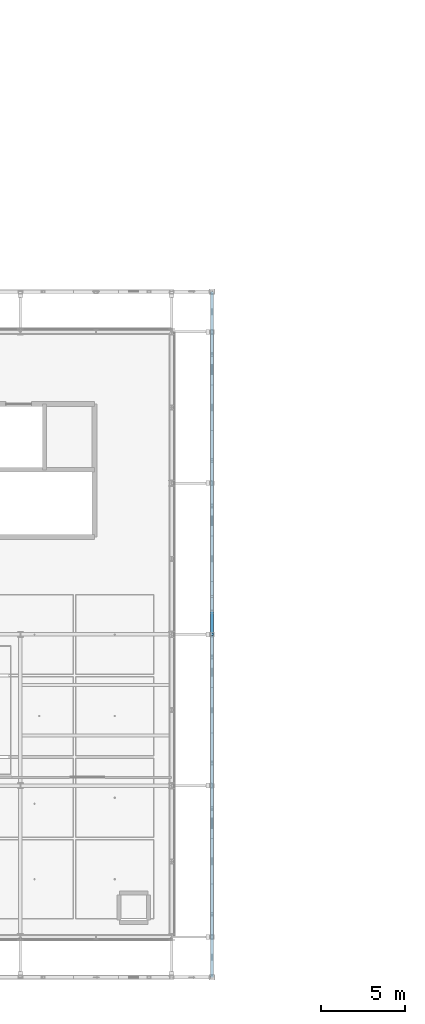
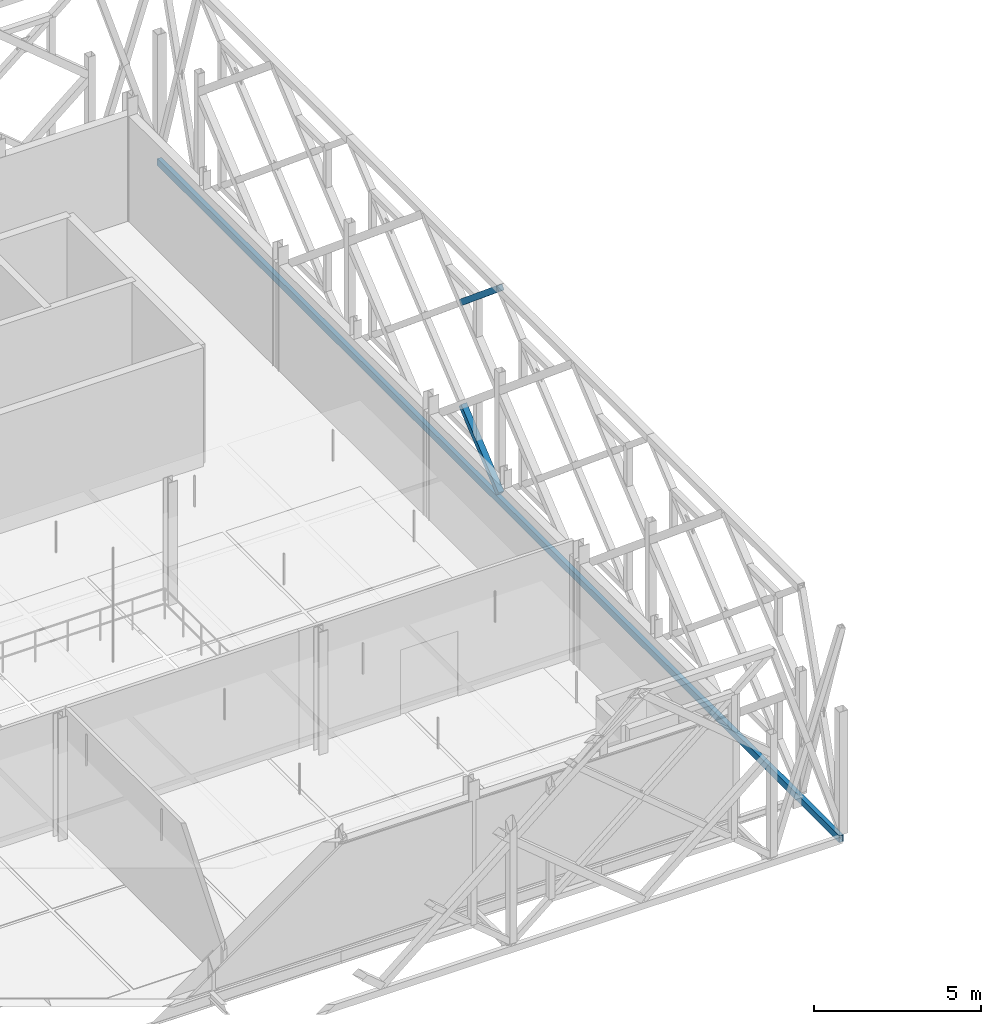
# One storey, part 22 of 66: 2 members, 1 beam.
"""IFC4 building model written with IfcOpenShell, lengths in metres."""

import ifcopenshell
import ifcopenshell.guid

model = None  # the IFC model being written
_history = None  # IfcOwnerHistory: only IFC2X3 demands one
_inside = {}  # id of a spatial element -> (the spatial element, [elements in it])
_under = {}  # id of a project, library or spatial element -> (it, [spatial elements below it])
_declared = {}  # id of a project -> (the project, [libraries it declares])
_typed = {}  # id of a type object -> (the type object, [elements of that type])
_made_of = {}  # id of a material, layer set ... -> (it, [elements and type objects made of it])


def new_model(schema):
    """Start an empty IFC model of exactly this schema.

    Asked for "IFC4X3", IfcOpenShell would pick the latest addendum, in which some entities
    have other attributes; the version numbers below select the first issue.
    IFC2X3 requires an IfcOwnerHistory on every rooted entity: one is made here for all.
    """
    global model, _history
    if schema == "IFC4X3":
        model = ifcopenshell.file(schema_version=(4, 3, 0, 0))
    else:
        model = ifcopenshell.file(schema=schema)
    _inside.clear()
    _under.clear()
    _declared.clear()
    _typed.clear()
    _made_of.clear()
    _history = None
    if model.schema == "IFC2X3":
        org = make("IfcOrganization", Name="unknown")
        user = make(
            "IfcPersonAndOrganization",
            ThePerson=make("IfcPerson", FamilyName="unknown"),
            TheOrganization=org,
        )
        app = make(
            "IfcApplication",
            ApplicationDeveloper=org,
            Version="unknown",
            ApplicationFullName="unknown",
            ApplicationIdentifier="unknown",
        )
        _history = make(
            "IfcOwnerHistory",
            OwningUser=user,
            OwningApplication=app,
            ChangeAction="ADDED",
            CreationDate=0,
        )
    return model


def make(cls, **values):
    """One entity of the class cls with the attributes given. An attribute that is None is left unset."""
    return model.create_entity(
        cls, **{name: value for name, value in values.items() if value is not None}
    )


def rooted(cls, **values):
    """An entity with a GlobalId (a new one), such as an element, a storey or a relation."""
    return make(cls, GlobalId=ifcopenshell.guid.new(), OwnerHistory=_history, **values)


def si_unit(unit_type, name, prefix=None):
    """IfcSIUnit, for example si_unit("LENGTHUNIT", "METRE", prefix="MILLI")."""
    return make("IfcSIUnit", UnitType=unit_type, Prefix=prefix, Name=name)


def assignment(units):
    """IfcUnitAssignment: the units of a project."""
    return None if units is None else make("IfcUnitAssignment", Units=units)


def point(xyz):
    """IfcCartesianPoint."""
    return None if xyz is None else make("IfcCartesianPoint", Coordinates=xyz)


def direction(xyz):
    """IfcDirection."""
    return None if xyz is None else make("IfcDirection", DirectionRatios=xyz)


def frame(location, z_axis=None, x_axis=None):
    """IfcAxis2Placement3D, a coordinate frame: its origin and axes. An axis left out is left unset."""
    return make(
        "IfcAxis2Placement3D",
        Location=point(location),
        Axis=direction(z_axis),
        RefDirection=direction(x_axis),
    )


def frame_2d(location, x_axis=None):
    """IfcAxis2Placement2D, a coordinate frame in the plane: its origin and x axis."""
    return make(
        "IfcAxis2Placement2D", Location=point(location), RefDirection=direction(x_axis)
    )


def origin():
    """The frame at (0, 0, 0) with its axes left unset."""
    return frame((0.0, 0.0, 0.0))


def origin_2d():
    """The frame at (0, 0) in the plane with its x axis left unset."""
    return frame_2d((0.0, 0.0))


def place(relative_to, where):
    """IfcLocalPlacement: puts the frame where relative to a parent placement (None: the world)."""
    return make(
        "IfcLocalPlacement", PlacementRelTo=relative_to, RelativePlacement=where
    )


def context(
    kind, dimensions, precision=None, world=None, true_north=None, identifier=None
):
    """IfcGeometricRepresentationContext, for example the 3D "Model" context."""
    return make(
        "IfcGeometricRepresentationContext",
        ContextIdentifier=identifier,
        ContextType=kind,
        CoordinateSpaceDimension=dimensions,
        Precision=precision,
        WorldCoordinateSystem=world,
        TrueNorth=true_north,
    )


def subcontext(parent, identifier, kind, view, scale=None):
    """IfcGeometricRepresentationSubContext, for example "Body" below "Model"."""
    return make(
        "IfcGeometricRepresentationSubContext",
        ContextIdentifier=identifier,
        ContextType=kind,
        ParentContext=parent,
        TargetScale=scale,
        TargetView=view,
    )


def project(units=None, contexts=None):
    """IfcProject with its units and contexts."""
    return rooted(
        "IfcProject",
        Name="project",
        RepresentationContexts=contexts,
        UnitsInContext=assignment(units),
    )


def spatial(cls, under=None, at=None, **own):
    """A site, building, storey or space (cls), placed at a placement, below another one or the project."""
    s = rooted(cls, ObjectPlacement=at, **own)
    if under is not None:
        _under.setdefault(under.id(), (under, []))[1].append(s)
    return s


def profile(cls, at=None, kind="AREA", **sizes):
    """A parametric profile (cls). Its sizes go by their IFC names, for example OverallWidth=200.0."""
    return make(cls, ProfileType=kind, Position=at, **sizes)


def hollow_rectangle(**sizes):
    """IfcRectangleHollowProfileDef."""
    return profile("IfcRectangleHollowProfileDef", **sizes)


def extrude(swept, where, along, depth):
    """IfcExtrudedAreaSolid: the profile swept, set in the frame where, extruded along a direction by depth."""
    return make(
        "IfcExtrudedAreaSolid",
        SweptArea=swept,
        Position=where,
        ExtrudedDirection=direction(along),
        Depth=depth,
    )


def shape(context_of_items, identifier, shape_type, items):
    """IfcShapeRepresentation: the items that make up one representation, for example the "Body"."""
    return make(
        "IfcShapeRepresentation",
        ContextOfItems=context_of_items,
        RepresentationIdentifier=identifier,
        RepresentationType=shape_type,
        Items=items,
    )


def material(Name=None, Category=None):
    """IfcMaterial."""
    return make("IfcMaterial", Name=Name, Category=Category)


def material_profile(
    of_material, cross_section, Name=None, Category=None, Priority=None
):
    """IfcMaterialProfile: a cross section and its material."""
    return make(
        "IfcMaterialProfile",
        Name=Name,
        Material=of_material,
        Profile=cross_section,
        Priority=Priority,
        Category=Category,
    )


def profile_set(profiles, Name=None, composite=None):
    """IfcMaterialProfileSet."""
    return make(
        "IfcMaterialProfileSet",
        Name=Name,
        MaterialProfiles=profiles,
        CompositeProfile=composite,
    )


def made_of(thing, what):
    """Note that an element or type object is made of a material, layer set ...; save() writes the relation."""
    if what is not None:
        _made_of.setdefault(what.id(), (what, []))[1].append(thing)
    return thing


def type_object(cls, material=None, **own):
    """A type object (cls), such as IfcWallType, which elements share."""
    return made_of(rooted(cls, **own), material)


def element(
    cls,
    number,
    at=None,
    inside=None,
    cuts=None,
    type_object=None,
    material=None,
    context=None,
    identifier="Body",
    shape_type=None,
    held_by="IfcProductDefinitionShape",
    body=None,
    shapes=None,
    **own,
):
    """One element of the class cls, such as IfcWall. Its Tag is "e" and its number.

    at: its placement. inside: the storey or other place that contains it. cuts: it is an
    opening in that element (IfcRelVoidsElement). A single representation is given by context,
    identifier, shape_type and body (its items); several are given by shapes. held_by: the class
    of the entity that holds the representations. save() writes the other relations.
    """
    e = rooted(cls, Tag="e%d" % number, ObjectPlacement=at, **own)
    if body is not None:
        shapes = [shape(context, identifier, shape_type, body)]
    if shapes is not None:
        e.Representation = make(held_by, Representations=shapes)
    if inside is not None:
        _inside.setdefault(inside.id(), (inside, []))[1].append(e)
    if cuts is not None:
        rooted(
            "IfcRelVoidsElement", RelatingBuildingElement=cuts, RelatedOpeningElement=e
        )
    if type_object is not None:
        _typed.setdefault(type_object.id(), (type_object, []))[1].append(e)
    return made_of(e, material)


def aggregate(whole, parts):
    """IfcRelAggregates: a whole, such as a stair, and the parts it consists of."""
    return rooted("IfcRelAggregates", RelatingObject=whole, RelatedObjects=parts)


def save(model, path):
    """Write the relations noted so far, then the file.

    IfcRelAggregates (storeys below a building ...), IfcRelContainedInSpatialStructure (elements
    in a storey), IfcRelDefinesByType, IfcRelAssociatesMaterial and IfcRelDeclares: one each for
    every whole, place, type object, material and project.
    """
    for whole, parts in _under.values():
        aggregate(whole, parts)
    for where, things in _inside.values():
        rooted(
            "IfcRelContainedInSpatialStructure",
            RelatedElements=things,
            RelatingStructure=where,
        )
    for kind, things in _typed.values():
        rooted("IfcRelDefinesByType", RelatedObjects=things, RelatingType=kind)
    for what, things in _made_of.values():
        rooted("IfcRelAssociatesMaterial", RelatedObjects=things, RelatingMaterial=what)
    for by, libraries in _declared.values():
        rooted("IfcRelDeclares", RelatingContext=by, RelatedDefinitions=libraries)
    model.write(path)


model = new_model("IFC4")

# Units and contexts
model_context = context("Model", 3, precision=1e-05, world=origin(), true_north=direction((0.0, 1.0)))
body_context = subcontext(model_context, "Body", "Model", "MODEL_VIEW")
ifc_project = project(units=[si_unit("LENGTHUNIT", "METRE"), si_unit("AREAUNIT", "SQUARE_METRE"), si_unit("VOLUMEUNIT", "CUBIC_METRE"), si_unit("PLANEANGLEUNIT", "RADIAN"), si_unit("MASSUNIT", "GRAM", prefix="KILO"), si_unit("THERMODYNAMICTEMPERATUREUNIT", "KELVIN"), si_unit("POWERUNIT", "WATT")], contexts=[model_context])

# Site, building, storey
site_placement = place(None, origin())
site = spatial("IfcSite", under=ifc_project, at=site_placement, CompositionType="ELEMENT")
building_placement = place(site_placement, origin())
building = spatial("IfcBuilding", under=site, at=building_placement, Name="Tallowbark Science Centre", CompositionType="ELEMENT")
storey_placement = place(building_placement, frame((0.0, 0.0, 18.89990234375)))
storey = spatial("IfcBuildingStorey", under=building, at=storey_placement, Name="L04", CompositionType="ELEMENT", Elevation=18.89990234375)

# Members
ifc_material = material(Name="White Architectural Painted Steel Grade C350L0 (350 MPa)", Category="steel")
ifc_material_profile_1 = material_profile(ifc_material, hollow_rectangle(XDim=0.199951171875, YDim=0.199951171875, WallThickness=0.009033203125, at=origin_2d()), Name="200x200x9.0SHS")
ifc_profile_set_1 = profile_set([ifc_material_profile_1], Name="White Architectural Painted Steel Grade C350L0 (350 MPa)")
member_type = type_object("IfcMemberType", Name="SCR-STAR139", PredefinedType="BRACE", material=ifc_profile_set_1)
for number, where, z_axis, x_axis, name in (
    (1, (105.89990234375, 22.5, 0.0), (0.0, 0.768221279597, 0.640184399664), (-1.0, 0.0, 0.0), "Star Screen Continuous X-Diagonal D1A E-51"),
    (2, (105.89990234375, 22.5, 7.5), (0.0, 0.768221279597, -0.640184399664), (-1.0, 0.0, 0.0), "Star Screen Split X-Diagonal D2A E-51"),
):
    element("IfcMember", number, at=place(storey_placement, frame(where, z_axis=z_axis, x_axis=x_axis)), inside=storey, type_object=member_type, Name=name, PredefinedType="BRACE", context=body_context, shape_type="SweptSolid", body=[
        extrude(hollow_rectangle(XDim=0.199951171875, YDim=0.199951171875, WallThickness=0.009033203125, at=origin_2d()), origin(), (0.0, 0.0, 1.0), 2.928955078125),
    ])

# Beam
ifc_material_profile_2 = material_profile(ifc_material, hollow_rectangle(XDim=0.14990234375, YDim=0.25, WallThickness=0.009033203125, at=origin_2d()), Name="250x150x9.0RHS")
ifc_profile_set_2 = profile_set([ifc_material_profile_2], Name="White Architectural Painted Steel Grade C350L0 (350 MPa)")
beam_type = type_object("IfcBeamType", Name="SPN-RHS250", PredefinedType="SPANDREL", material=ifc_profile_set_2)
beam_placement = place(storey_placement, frame((105.89990234375, 2.10009765625, -0.25), z_axis=(0.0, 1.0, 0.0), x_axis=(-1.0, 0.0, 0.0)))
element("IfcBeam", 3, at=beam_placement, inside=storey, type_object=beam_type, Name="Star Screen Perimeter Ring Beam E-L04", PredefinedType="SPANDREL", context=body_context, shape_type="SweptSolid", body=[
    extrude(hollow_rectangle(XDim=0.14990234375, YDim=0.25, WallThickness=0.009033203125, at=origin_2d()), origin(), (0.0, 0.0, 1.0), 40.7998046875),
])

save(model, "model.ifc")
